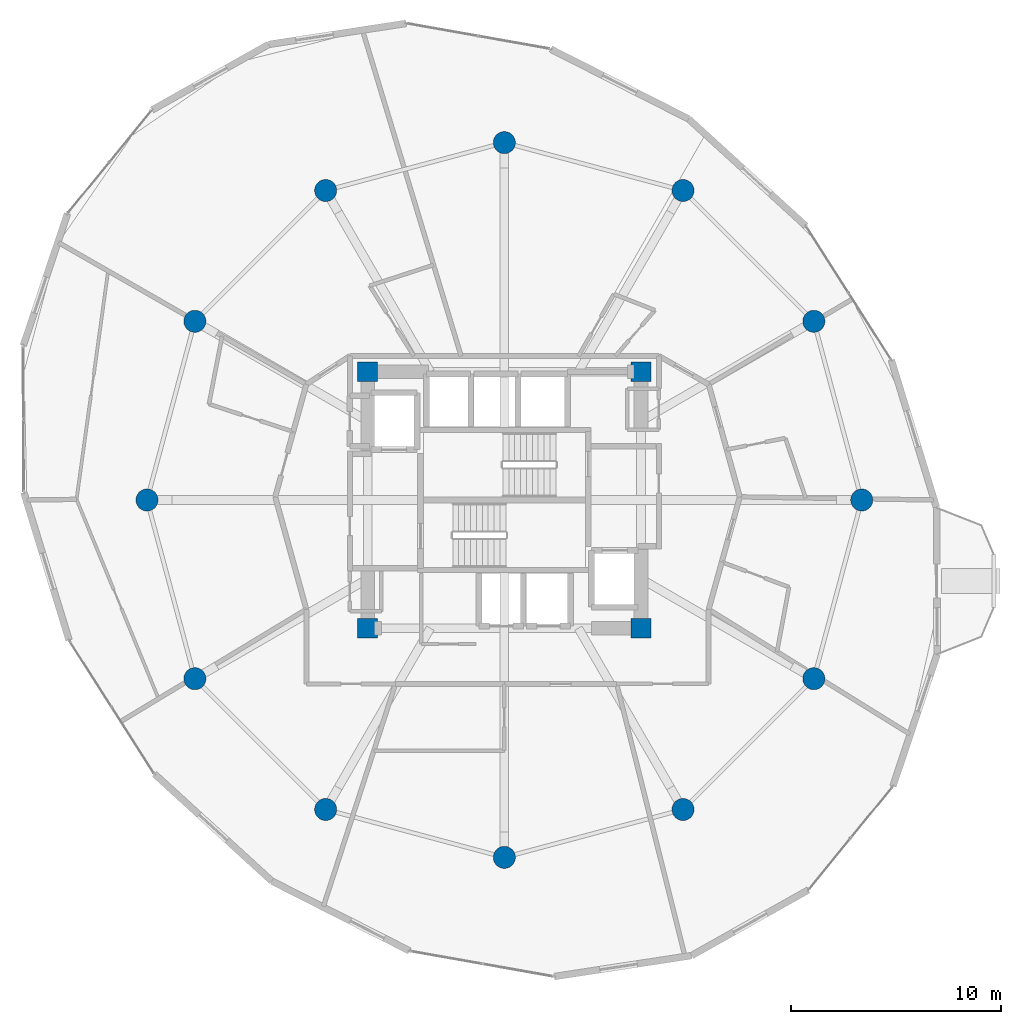
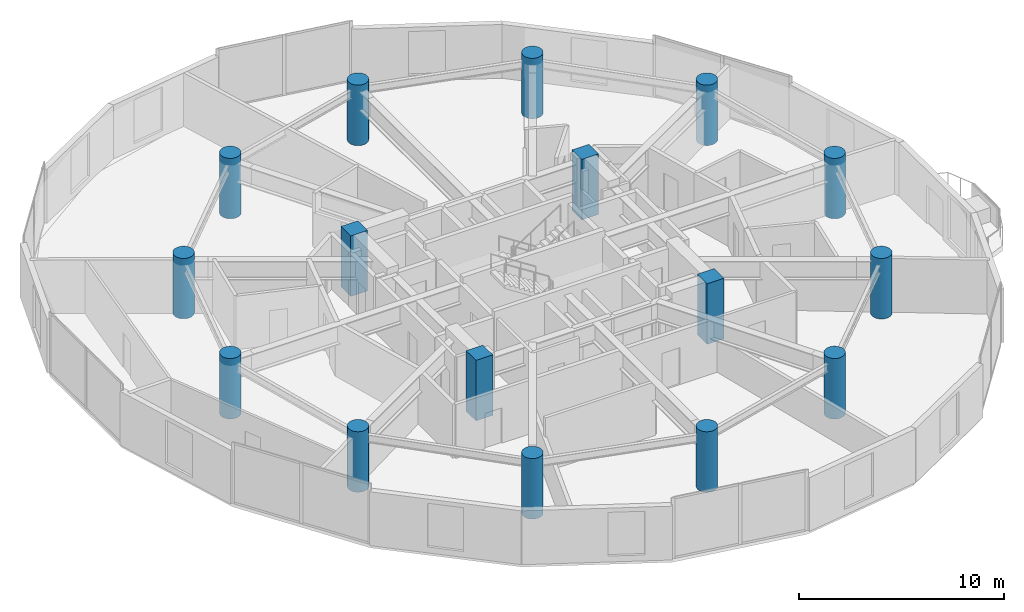
# One storey, part 1 of 22: 16 columns.
"""IFC4 building model written with IfcOpenShell, lengths in metres."""

from ifc_helpers import new_model, si_unit, direction, frame, origin, origin_2d, place, context, subcontext, project, spatial, rectangle, circle, extrude, material, material_profile, profile_set, type_object, element, save


model = new_model("IFC4")

# Units and contexts
model_context = context("Model", 3, precision=1e-05, world=origin(), true_north=direction((0.0, 1.0)))
body_context = subcontext(model_context, "Body", "Model", "MODEL_VIEW")
ifc_project = project(units=[si_unit("LENGTHUNIT", "METRE"), si_unit("AREAUNIT", "SQUARE_METRE"), si_unit("VOLUMEUNIT", "CUBIC_METRE"), si_unit("PLANEANGLEUNIT", "RADIAN"), si_unit("MASSUNIT", "GRAM", prefix="KILO")], contexts=[model_context])

# Site, building, storey
site_placement = place(None, origin())
site = spatial("IfcSite", under=ifc_project, at=site_placement, CompositionType="ELEMENT")
building_placement = place(site_placement, origin())
building = spatial("IfcBuilding", under=site, at=building_placement, Name="Solvirekh Grand Hotel", CompositionType="ELEMENT")
storey_placement = place(building_placement, frame((0.0, 0.0, 160.199951171875)))
storey = spatial("IfcBuildingStorey", under=building, at=storey_placement, Name="L41", CompositionType="ELEMENT", Elevation=160.199951171875)

# Columns
ifc_material = material(Name="Concrete C50/60", Category="concrete")
ifc_material_profile_1 = material_profile(ifc_material, rectangle(XDim=0.949951171875, YDim=0.949951171875, at=origin_2d()), Name="RC 950X950")
ifc_profile_set_1 = profile_set([ifc_material_profile_1], Name="Concrete C50/60")
column_type_1 = type_object("IfcColumnType", Name="Col_Core_950", PredefinedType="COLUMN", material=ifc_profile_set_1)
for number, where, z_axis, x_axis, name in (
    (1, (-6.5, -6.10009765625, 0.0), (0.0, 0.0, 1.0), (1.0, 0.0, 0.0), "L41 core corner column CC1"),
    (2, (6.5, -6.10009765625, 0.0), (0.0, 0.0, 1.0), (1.0, 0.0, 0.0), "L41 core corner column CC2"),
    (3, (6.5, 6.10009765625, 0.0), (0.0, 0.0, 1.0), (1.0, 0.0, 0.0), "L41 core corner column CC3"),
    (4, (-6.5, 6.10009765625, 0.0), (0.0, 0.0, 1.0), (1.0, 0.0, 0.0), "L41 core corner column CC4"),
):
    element("IfcColumn", number, at=place(storey_placement, frame(where, z_axis=z_axis, x_axis=x_axis)), inside=storey, type_object=column_type_1, Name=name, PredefinedType="COLUMN", context=body_context, shape_type="SweptSolid", body=[
        extrude(rectangle(XDim=0.949951171875, YDim=0.949951171875, at=origin_2d()), origin(), (0.0, 0.0, 1.0), 3.60009765625),
    ])
ifc_material_profile_2 = material_profile(ifc_material, circle(Radius=0.52490234375, at=origin_2d()), Name="RC CIRC D1050")
ifc_profile_set_2 = profile_set([ifc_material_profile_2], Name="Concrete C50/60")
column_type_2 = type_object("IfcColumnType", Name="Col_Z2_D1050", PredefinedType="COLUMN", material=ifc_profile_set_2)
for number, where, z_axis, x_axis, name in (
    (5, (17.0, 0.0, 0.0), (0.0, 0.0, 1.0), (1.0, 0.0, 0.0), "L41 perimeter column P01"),
    (6, (14.721923828125, 8.5, 0.0), (0.0, 0.0, 1.0), (1.0, 0.0, 0.0), "L41 perimeter column P02"),
    (7, (8.5, 14.721923828125, 0.0), (0.0, 0.0, 1.0), (1.0, 0.0, 0.0), "L41 perimeter column P03"),
    (8, (0.0, 17.0, 0.0), (0.0, 0.0, 1.0), (1.0, 0.0, 0.0), "L41 perimeter column P04"),
    (9, (-8.5, 14.721923828125, 0.0), (0.0, 0.0, 1.0), (1.0, 0.0, 0.0), "L41 perimeter column P05"),
    (10, (-14.721923828125, 8.5, 0.0), (0.0, 0.0, 1.0), (1.0, 0.0, 0.0), "L41 perimeter column P06"),
    (11, (-17.0, 0.0, 0.0), (0.0, 0.0, 1.0), (1.0, 0.0, 0.0), "L41 perimeter column P07"),
    (12, (-14.721923828125, -8.5, 0.0), (0.0, 0.0, 1.0), (1.0, 0.0, 0.0), "L41 perimeter column P08"),
    (13, (-8.5, -14.721923828125, 0.0), (0.0, 0.0, 1.0), (1.0, 0.0, 0.0), "L41 perimeter column P09"),
    (14, (0.0, -17.0, 0.0), (0.0, 0.0, 1.0), (1.0, 0.0, 0.0), "L41 perimeter column P10"),
    (15, (8.5, -14.721923828125, 0.0), (0.0, 0.0, 1.0), (1.0, 0.0, 0.0), "L41 perimeter column P11"),
    (16, (14.721923828125, -8.5, 0.0), (0.0, 0.0, 1.0), (1.0, 0.0, 0.0), "L41 perimeter column P12"),
):
    element("IfcColumn", number, at=place(storey_placement, frame(where, z_axis=z_axis, x_axis=x_axis)), inside=storey, type_object=column_type_2, Name=name, PredefinedType="COLUMN", context=body_context, shape_type="SweptSolid", body=[
        extrude(circle(Radius=0.52490234375, at=origin_2d()), origin(), (0.0, 0.0, 1.0), 3.60009765625),
    ])

save(model, "model.ifc")
